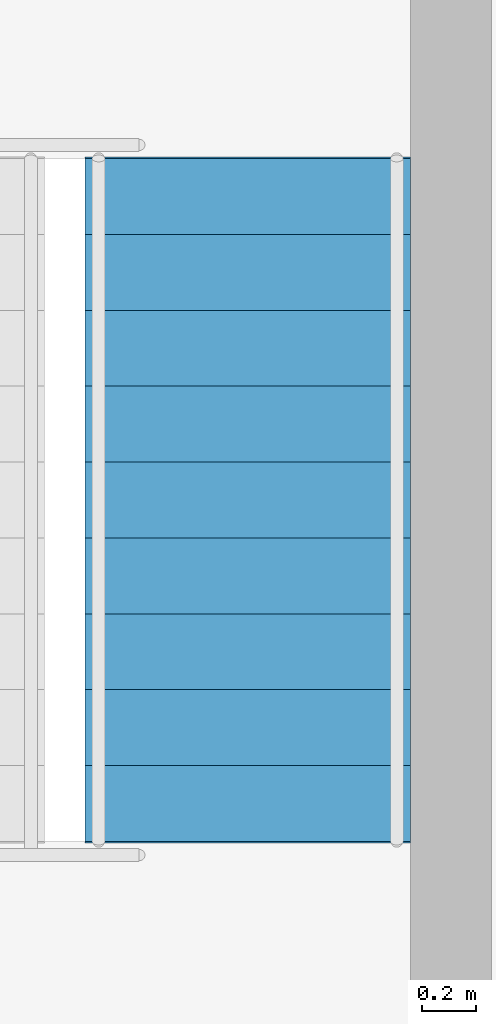
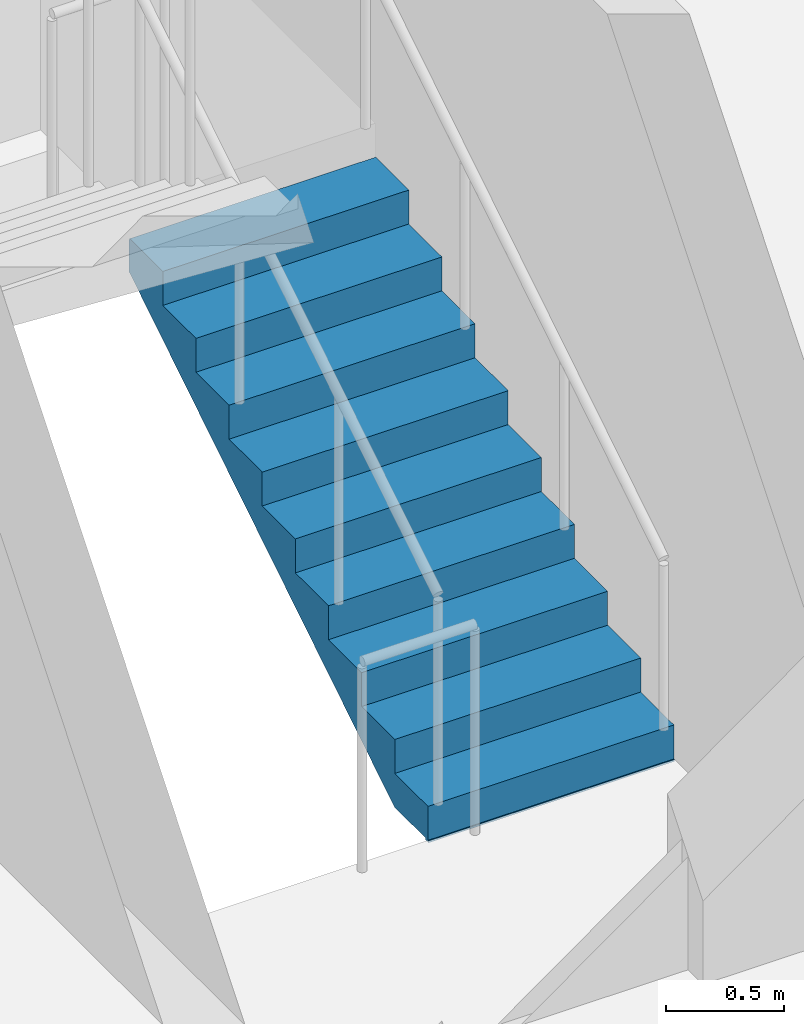
# One storey, part 13 of 16: 1 stair flight, 1 element without a shape of its own.
"""IFC4 building model written with IfcOpenShell, lengths in metres."""

from ifc_helpers import new_model, si_unit, direction, frame, origin, place, context, subcontext, project, spatial, polyline, outline, extrude, material, type_object, element, aggregate, save


model = new_model("IFC4")

# Units and contexts
model_context = context("Model", 3, precision=1e-05, world=origin(), true_north=direction((0.0, 1.0)))
body_context = subcontext(model_context, "Body", "Model", "MODEL_VIEW")
ifc_project = project(units=[si_unit("LENGTHUNIT", "METRE"), si_unit("AREAUNIT", "SQUARE_METRE"), si_unit("VOLUMEUNIT", "CUBIC_METRE"), si_unit("PLANEANGLEUNIT", "RADIAN"), si_unit("MASSUNIT", "GRAM", prefix="KILO")], contexts=[model_context])

# Site, building, storey
site_placement = place(None, origin())
site = spatial("IfcSite", under=ifc_project, at=site_placement, CompositionType="ELEMENT")
building_placement = place(site_placement, origin())
building = spatial("IfcBuilding", under=site, at=building_placement, Name="Plateau Cross Towers", CompositionType="ELEMENT")
storey_placement = place(building_placement, frame((0.0, 0.0, 181.39990234375)))
storey = spatial("IfcBuildingStorey", under=building, at=storey_placement, Name="L47", CompositionType="ELEMENT", Elevation=181.39990234375)

# Stair, stair flight
ifc_material = material(Name="Concrete C40/50", Category="concrete")
stair_type = type_object("IfcStairType", Name="ST-TWR", PredefinedType="HALF_TURN_STAIR", material=ifc_material)
stair_placement = place(storey_placement, origin())
stair = element("IfcStair", 1, at=stair_placement, inside=storey, type_object=stair_type, Name="L47 Protected Exit Stair N", PredefinedType="HALF_TURN_STAIR")
stair_flight_type = type_object("IfcStairFlightType", Name="SFL-RC", PredefinedType="STRAIGHT", material=ifc_material)
stair_flight_placement = place(storey_placement, frame((9.675048828125, 46.5, 0.0), z_axis=(0.0, 0.0, 1.0), x_axis=(0.0, 1.0, 0.0)))
stair_flight = element("IfcStairFlight", 2, at=stair_flight_placement, type_object=stair_flight_type, Name="ES-N flight 1", NumberOfRisers=10, NumberOfTreads=9, PredefinedType="STRAIGHT", RiserHeight=0.175, TreadLength=0.28, context=body_context, shape_type="SweptSolid", body=[
    extrude(outline(polyline([(-0.0048828125, -0.010009765625), (-0.0048828125, 0.0), (0.0, 0.0), (0.0, 0.175048828125), (0.280029296875, 0.175048828125), (0.280029296875, 0.35009765625), (0.56005859375, 0.35009765625), (0.56005859375, 0.52490234375), (0.840087890625, 0.52490234375), (0.840087890625, 0.699951171875), (1.1201171875, 0.699951171875), (1.1201171875, 0.875), (1.39990234375, 0.875), (1.39990234375, 1.050048828125), (1.679931640625, 1.050048828125), (1.679931640625, 1.22509765625), (1.9599609375, 1.22509765625), (1.9599609375, 1.39990234375), (2.239990234375, 1.39990234375), (2.239990234375, 1.574951171875), (2.52001953125, 1.574951171875), (2.52490234375, 1.56494140625), (2.52490234375, 1.398193359375), (2.52001953125, 1.398193359375), (0.28271484375, 0.0), (0.02001953125, 0.0), (0.02001953125, -0.010009765625), (-0.0048828125, -0.010009765625)])), frame((0.0, 0.60009765625, 0.0), z_axis=(0.0, -1.0, 0.0), x_axis=(1.0, 0.0, 0.0)), (0.0, 0.0, 1.0), 1.199951171875),
])
aggregate(stair, [stair_flight])

save(model, "model.ifc")
